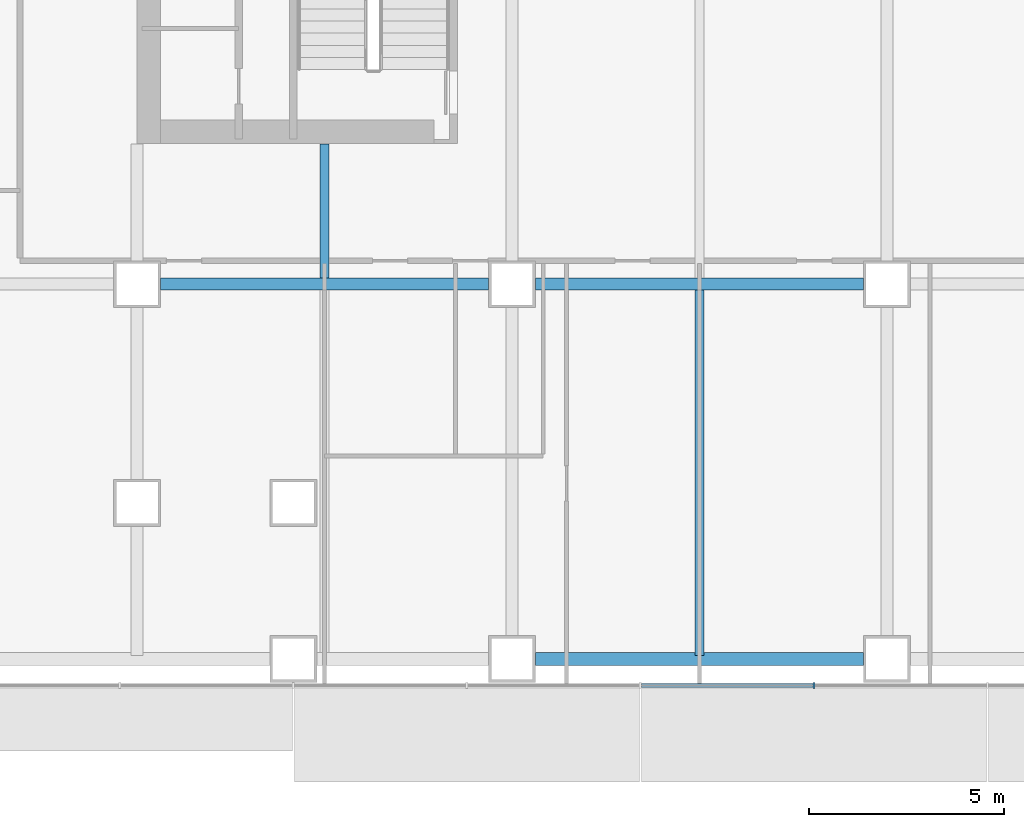
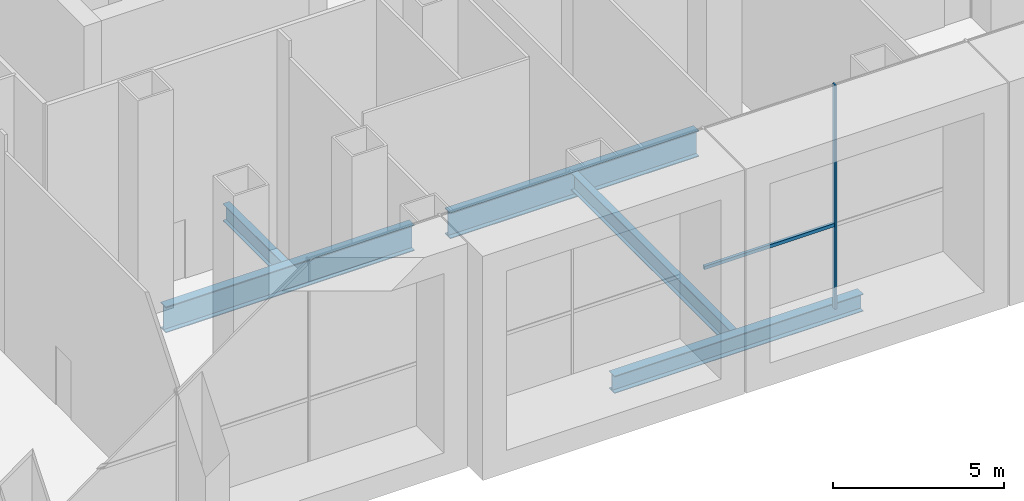
# One storey, part 3 of 24: 5 beams, 2 members, 1 element without a shape of its own.
"""IFC4 building model written with IfcOpenShell, lengths in metres."""

from ifc_helpers import new_model, si_unit, direction, frame, origin, origin_2d, place, context, subcontext, project, spatial, rectangle, i_section, extrude, material, material_profile, profile_set, type_object, element, aggregate, save


model = new_model("IFC4")

# Units and contexts
model_context = context("Model", 3, precision=1e-05, world=origin(), true_north=direction((0.0, 1.0)))
body_context = subcontext(model_context, "Body", "Model", "MODEL_VIEW")
ifc_project = project(units=[si_unit("LENGTHUNIT", "METRE"), si_unit("AREAUNIT", "SQUARE_METRE"), si_unit("VOLUMEUNIT", "CUBIC_METRE"), si_unit("PLANEANGLEUNIT", "RADIAN"), si_unit("MASSUNIT", "GRAM", prefix="KILO")], contexts=[model_context])

# Site, building, storey
site_placement = place(None, origin())
site = spatial("IfcSite", under=ifc_project, at=site_placement, CompositionType="ELEMENT")
building_placement = place(site_placement, origin())
building = spatial("IfcBuilding", under=site, at=building_placement, Name="Cobrizo Arcos Hotel Tower", CompositionType="ELEMENT")
storey_placement = place(building_placement, frame((0.0, 0.0, 7.5)))
storey = spatial("IfcBuildingStorey", under=building, at=storey_placement, Name="L01", CompositionType="ELEMENT", Elevation=7.5)

# Curtain wall, members
ifc_material_1 = material(Name="Aluminium 6063-T6 anodised bronze", Category="aluminium")
curtain_wall_type = type_object("IfcCurtainWallType", Name="CW-A guest facade", PredefinedType="NOTDEFINED", material=ifc_material_1)
curtain_wall_placement = place(storey_placement, origin())
curtain_wall = element("IfcCurtainWall", 1, at=curtain_wall_placement, inside=storey, type_object=curtain_wall_type, Name="CW-A L01 S face", PredefinedType="NOTDEFINED")
ifc_material_profile_1 = material_profile(ifc_material_1, rectangle(XDim=0.14990234375, YDim=0.06005859375, at=origin_2d()), Name="CW-A mullion 150x60")
ifc_profile_set_1 = profile_set([ifc_material_profile_1], Name="Aluminium 6063-T6 anodised bronze")
member_type_1 = type_object("IfcMemberType", Name="CW-A mullion 150x60", PredefinedType="MULLION", material=ifc_profile_set_1)
member_1_placement = place(storey_placement, frame((-6.666748046875, -24.675048828125, 0.0), z_axis=(0.0, 0.0, 1.0), x_axis=(0.0, -1.0, 0.0)))
member_1 = element("IfcMember", 2, at=member_1_placement, type_object=member_type_1, Name="CW-A mullion 8", PredefinedType="MULLION", context=body_context, shape_type="SweptSolid", body=[
    extrude(rectangle(XDim=0.14990234375, YDim=0.06005859375, at=origin_2d()), origin(), (0.0, 0.0, 1.0), 8.0),
])
ifc_material_profile_2 = material_profile(ifc_material_1, rectangle(XDim=0.10009765625, YDim=0.1201171875, at=origin_2d()), Name="CW-A transom 120x100")
ifc_profile_set_2 = profile_set([ifc_material_profile_2], Name="Aluminium 6063-T6 anodised bronze")
member_type_2 = type_object("IfcMemberType", Name="CW-A transom 120x100", PredefinedType="USERDEFINED", material=ifc_profile_set_2)
member_2_placement = place(storey_placement, frame((-11.0810546875, -24.675048828125, 3.0), z_axis=(1.0, 0.0, 0.0), x_axis=(0.0, 1.0, 0.0)))
member_2 = element("IfcMember", 3, at=member_2_placement, type_object=member_type_2, Name="CW-A transom 96", ObjectType="TRANSOM", PredefinedType="USERDEFINED", context=body_context, shape_type="SweptSolid", body=[
    extrude(rectangle(XDim=0.10009765625, YDim=0.1201171875, at=origin_2d()), origin(), (0.0, 0.0, 1.0), 4.38427734375),
])
aggregate(curtain_wall, [member_1, member_2])

# Beams
ifc_material_2 = material(Name="Steel ASTM A992 Grade 50", Category="steel")
ifc_material_profile_3 = material_profile(ifc_material_2, i_section(OverallWidth=0.32763671875, OverallDepth=0.622314453125, WebThickness=0.015380859375, FlangeThickness=0.0244140625, at=origin_2d()), Name="W24X131")
ifc_profile_set_3 = profile_set([ifc_material_profile_3], Name="Steel ASTM A992 Grade 50")
beam_type_1 = type_object("IfcBeamType", Name="W24X131 spandrel", PredefinedType="SPANDREL", material=ifc_profile_set_3)
beam_1_placement = place(storey_placement, frame((-13.800048828125, -24.0, -0.56103515625), z_axis=(1.0, 0.0, 0.0), x_axis=(0.0, 1.0, 0.0)))
element("IfcBeam", 4, at=beam_1_placement, inside=storey, type_object=beam_type_1, Name="Spandrel beam W24X131, L01, no. 010", PredefinedType="SPANDREL", context=body_context, shape_type="SweptSolid", body=[
    extrude(i_section(OverallWidth=0.32763671875, OverallDepth=0.622314453125, WebThickness=0.015380859375, FlangeThickness=0.0244140625, at=origin_2d()), origin(), (0.0, 0.0, 1.0), 8.400146484375),
])
ifc_material_profile_4 = material_profile(ifc_material_2, i_section(OverallWidth=0.23046875, OverallDepth=0.6171875, WebThickness=0.01318359375, FlangeThickness=0.022216796875, at=origin_2d()), Name="W24X94")
ifc_profile_set_4 = profile_set([ifc_material_profile_4], Name="Steel ASTM A992 Grade 50")
beam_type_2 = type_object("IfcBeamType", Name="W24X94 podium joist", PredefinedType="JOIST", material=ifc_profile_set_4)
beam_2_placement = place(storey_placement, frame((-19.199951171875, -14.246337890625, -0.55859375), z_axis=(0.0, 1.0, 0.0), x_axis=(-1.0, 0.0, 0.0)))
element("IfcBeam", 5, at=beam_2_placement, inside=storey, type_object=beam_type_2, Name="Podium joist PJ1, L01, no. 007", PredefinedType="JOIST", context=body_context, shape_type="SweptSolid", body=[
    extrude(i_section(OverallWidth=0.23046875, OverallDepth=0.6171875, WebThickness=0.01318359375, FlangeThickness=0.022216796875, at=origin_2d()), origin(), (0.0, 0.0, 1.0), 3.436279296875),
])
beam_3_placement = place(storey_placement, frame((-9.60009765625, -23.909912109375, -0.55859375), z_axis=(0.0, 1.0, 0.0), x_axis=(-1.0, 0.0, 0.0)))
element("IfcBeam", 6, at=beam_3_placement, inside=storey, type_object=beam_type_2, Name="Podium joist PJ1, L01, no. 010", PredefinedType="JOIST", context=body_context, shape_type="SweptSolid", body=[
    extrude(i_section(OverallWidth=0.23046875, OverallDepth=0.6171875, WebThickness=0.01318359375, FlangeThickness=0.022216796875, at=origin_2d()), origin(), (0.0, 0.0, 1.0), 9.356201171875),
])
ifc_material_profile_5 = material_profile(ifc_material_2, i_section(OverallWidth=0.307373046875, OverallDepth=0.927001953125, WebThickness=0.01953125, FlangeThickness=0.031982421875, at=origin_2d()), Name="W36X194")
ifc_profile_set_5 = profile_set([ifc_material_profile_5], Name="Steel ASTM A992 Grade 50")
beam_type_3 = type_object("IfcBeamType", Name="W36X194 podium girder", PredefinedType="BEAM", material=ifc_profile_set_5)
beam_4_placement = place(storey_placement, frame((-23.39990234375, -14.39990234375, -0.71337890625), z_axis=(1.0, 0.0, 0.0), x_axis=(0.0, 1.0, 0.0)))
element("IfcBeam", 7, at=beam_4_placement, inside=storey, type_object=beam_type_3, Name="Podium girder PG1, L01, no. 003", PredefinedType="BEAM", context=body_context, shape_type="SweptSolid", body=[
    extrude(i_section(OverallWidth=0.307373046875, OverallDepth=0.927001953125, WebThickness=0.01953125, FlangeThickness=0.031982421875, at=origin_2d()), origin(), (0.0, 0.0, 1.0), 8.39990234375),
])
beam_5_placement = place(storey_placement, frame((-13.800048828125, -14.39990234375, -0.71337890625), z_axis=(1.0, 0.0, 0.0), x_axis=(0.0, 1.0, 0.0)))
element("IfcBeam", 8, at=beam_5_placement, inside=storey, type_object=beam_type_3, Name="Podium girder PG1, L01, no. 004", PredefinedType="BEAM", context=body_context, shape_type="SweptSolid", body=[
    extrude(i_section(OverallWidth=0.307373046875, OverallDepth=0.927001953125, WebThickness=0.01953125, FlangeThickness=0.031982421875, at=origin_2d()), origin(), (0.0, 0.0, 1.0), 8.400146484375),
])

save(model, "model.ifc")
